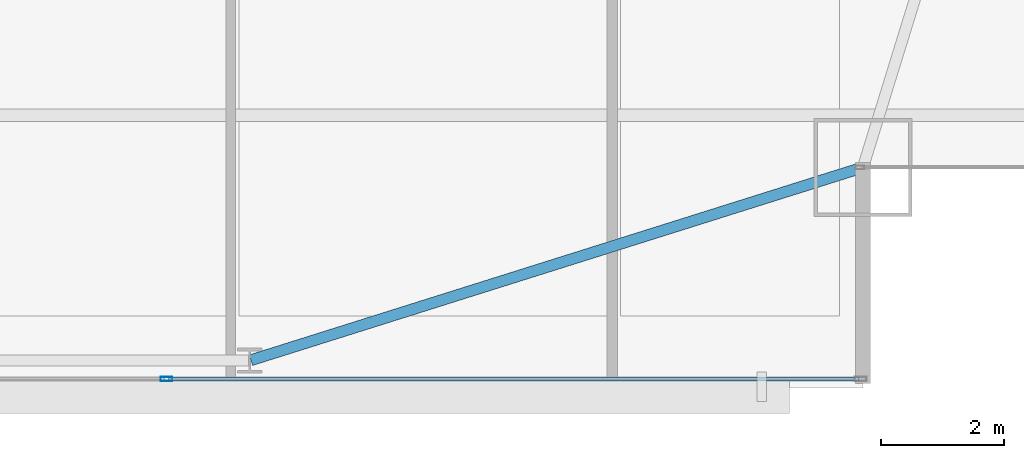
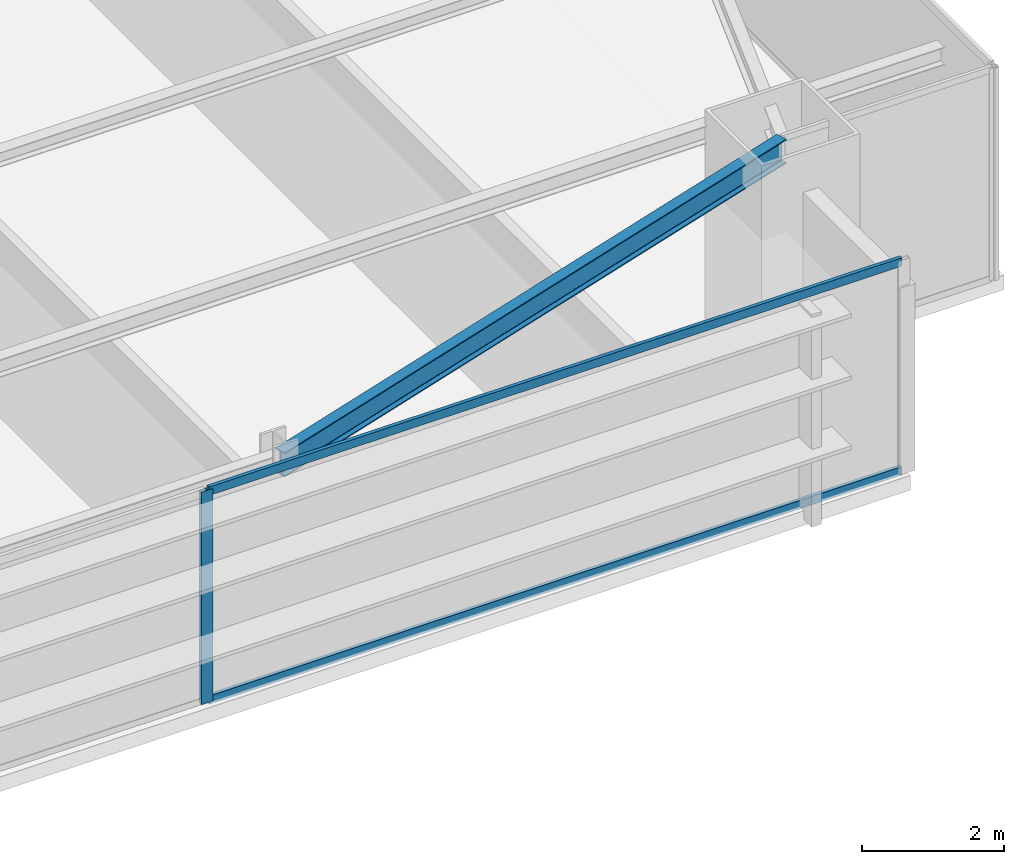
# One storey, part 14 of 32: 3 members, 1 beam, 1 element without a shape of its own.
"""IFC4 building model written with IfcOpenShell, lengths in metres."""

from ifc_helpers import new_model, si_unit, direction, frame, origin, origin_2d, place, context, subcontext, project, spatial, hollow_rectangle, i_section, extrude, source, transform, mapped, material, layer, layer_set, material_profile, profile_set, type_object, type_shapes, element, aggregate, save


model = new_model("IFC4")

# Units and contexts
model_context = context("Model", 3, precision=1e-05, world=origin(), true_north=direction((0.0, 1.0)))
body_context = subcontext(model_context, "Body", "Model", "MODEL_VIEW")
ifc_project = project(units=[si_unit("LENGTHUNIT", "METRE"), si_unit("AREAUNIT", "SQUARE_METRE"), si_unit("VOLUMEUNIT", "CUBIC_METRE"), si_unit("PLANEANGLEUNIT", "RADIAN"), si_unit("MASSUNIT", "GRAM", prefix="KILO")], contexts=[model_context])

# Site, building, storey
site_placement = place(None, origin())
site = spatial("IfcSite", under=ifc_project, at=site_placement, CompositionType="ELEMENT")
building_placement = place(site_placement, origin())
building = spatial("IfcBuilding", under=site, at=building_placement, Name="Varnel Quay Broadcast Tower", CompositionType="ELEMENT")
storey_placement = place(building_placement, frame((0.0, 0.0, 70.5)))
storey = spatial("IfcBuildingStorey", under=building, at=storey_placement, Name="L16", CompositionType="ELEMENT", Elevation=70.5)

# Beam
ifc_material_1 = material(Name="Structural Steel CSA G40.21 350W", Category="steel")
ifc_material_profile_1 = material_profile(ifc_material_1, i_section(OverallWidth=0.180908203125, OverallDepth=0.4169921875, WebThickness=0.010986328125, FlangeThickness=0.018310546875, FilletRadius=0.011962890625, at=origin_2d()), Name="W410X85")
ifc_profile_set_1 = profile_set([ifc_material_profile_1], Name="Structural Steel CSA G40.21 350W")
beam_type = type_object("IfcBeamType", Name="Beam_W410X85", PredefinedType="SPANDREL", material=ifc_profile_set_1)
shared_shape_1 = source(origin(), body_context, "Body", "SweptSolid", [
    extrude(i_section(OverallWidth=0.180908203125, OverallDepth=0.4169921875, WebThickness=0.010986328125, FlangeThickness=0.018310546875, FilletRadius=0.011962890625, at=origin_2d()), origin(), (0.0, 0.0, 1.0), 10.444091796875),
])
type_shapes(beam_type, [shared_shape_1])
beam_placement = place(storey_placement, frame((52.419189453125, 1.656005859375, 3.44140625), z_axis=(0.953798277271, 0.300447743003, 0.0), x_axis=(-0.300447743003, 0.953798277271, 0.0)))
element("IfcBeam", 1, at=beam_placement, inside=storey, type_object=beam_type, Name="L16 South Spandrel TC-S5-MC-SE", PredefinedType="SPANDREL", context=body_context, shape_type="MappedRepresentation", body=[
    mapped(shared_shape_1, transform((0.0, 0.0, 0.0), x_axis=(1.0, 0.0, 0.0), y_axis=(0.0, 1.0, 0.0), z_axis=(0.0, 0.0, 1.0), scale=1.0)),
])

# Curtain wall, members
ifc_material_2 = material(Name="Anodised Bronze Aluminium 6063-T6", Category="aluminium")
ifc_layer = layer(ifc_material_2, 0.18994140625, Name="Anodised Bronze Aluminium 6063-T6")
ifc_layer_set = layer_set([ifc_layer], Name="Anodised Bronze Aluminium 6063-T6")
curtain_wall_type = type_object("IfcCurtainWallType", Name="CW_LowerTower", PredefinedType="NOTDEFINED", material=ifc_layer_set)
curtain_wall_placement = place(storey_placement, origin())
curtain_wall = element("IfcCurtainWall", 2, at=curtain_wall_placement, inside=storey, type_object=curtain_wall_type, Name="L16 South Unitised Curtain Wall 1", PredefinedType="NOTDEFINED")
ifc_material_profile_2 = material_profile(ifc_material_2, hollow_rectangle(XDim=0.070068359375, YDim=0.18994140625, WallThickness=0.00390625, at=origin_2d()), Name="ALU70X190X4")
ifc_profile_set_2 = profile_set([ifc_material_profile_2], Name="Anodised Bronze Aluminium 6063-T6")
member_type_1 = type_object("IfcMemberType", Name="Mull_CWS-02", PredefinedType="MULLION", material=ifc_profile_set_2)
shared_shape_2 = source(origin(), body_context, "Body", "SweptSolid", [
    extrude(hollow_rectangle(XDim=0.070068359375, YDim=0.18994140625, WallThickness=0.00390625, at=origin_2d()), origin(), (0.0, 0.0, 1.0), 3.64990234375),
])
type_shapes(member_type_1, [shared_shape_2])
member_1_placement = place(storey_placement, frame((51.0400390625, 1.35009765625, 0.0), z_axis=(0.0, 0.0, 1.0), x_axis=(0.0, 1.0, 0.0)))
member_1 = element("IfcMember", 3, at=member_1_placement, type_object=member_type_1, Name="CWS-02 mullion 5", PredefinedType="MULLION", context=body_context, shape_type="MappedRepresentation", body=[
    mapped(shared_shape_2, transform((0.0, 0.0, 0.0), x_axis=(1.0, 0.0, 0.0), y_axis=(0.0, 1.0, 0.0), z_axis=(0.0, 0.0, 1.0), scale=1.0)),
])
ifc_material_profile_3 = material_profile(ifc_material_2, hollow_rectangle(XDim=0.06005859375, YDim=0.14501953125, WallThickness=0.00341796875, at=origin_2d()), Name="ALU60X145X3.5")
ifc_profile_set_3 = profile_set([ifc_material_profile_3], Name="Anodised Bronze Aluminium 6063-T6")
member_type_2 = type_object("IfcMemberType", Name="Tran_CWS-02", PredefinedType="USERDEFINED", material=ifc_profile_set_3)
shared_shape_3 = source(origin(), body_context, "Body", "SweptSolid", [
    extrude(hollow_rectangle(XDim=0.06005859375, YDim=0.14501953125, WallThickness=0.00341796875, at=origin_2d()), origin(), (0.0, 0.0, 1.0), 11.255126953125),
])
type_shapes(member_type_2, [shared_shape_3])
member_2_placement = place(storey_placement, frame((51.074951171875, 1.35009765625, 0.030029296875), z_axis=(1.0, 0.0, 0.0), x_axis=(0.0, 1.0, 0.0)))
member_2 = element("IfcMember", 4, at=member_2_placement, type_object=member_type_2, Name="CWS-02 transom 5.1", ObjectType="TRANSOM", PredefinedType="USERDEFINED", context=body_context, shape_type="MappedRepresentation", body=[
    mapped(shared_shape_3, transform((0.0, 0.0, 0.0), x_axis=(1.0, 0.0, 0.0), y_axis=(0.0, 1.0, 0.0), z_axis=(0.0, 0.0, 1.0), scale=1.0)),
])
member_3_placement = place(storey_placement, frame((51.074951171875, 1.35009765625, 3.6201171875), z_axis=(1.0, 0.0, 0.0), x_axis=(0.0, 1.0, 0.0)))
member_3 = element("IfcMember", 5, at=member_3_placement, type_object=member_type_2, Name="CWS-02 transom 5.2", ObjectType="TRANSOM", PredefinedType="USERDEFINED", context=body_context, shape_type="MappedRepresentation", body=[
    mapped(shared_shape_3, transform((0.0, 0.0, 0.0), x_axis=(1.0, 0.0, 0.0), y_axis=(0.0, 1.0, 0.0), z_axis=(0.0, 0.0, 1.0), scale=1.0)),
])
aggregate(curtain_wall, [member_1, member_2, member_3])

save(model, "model.ifc")
